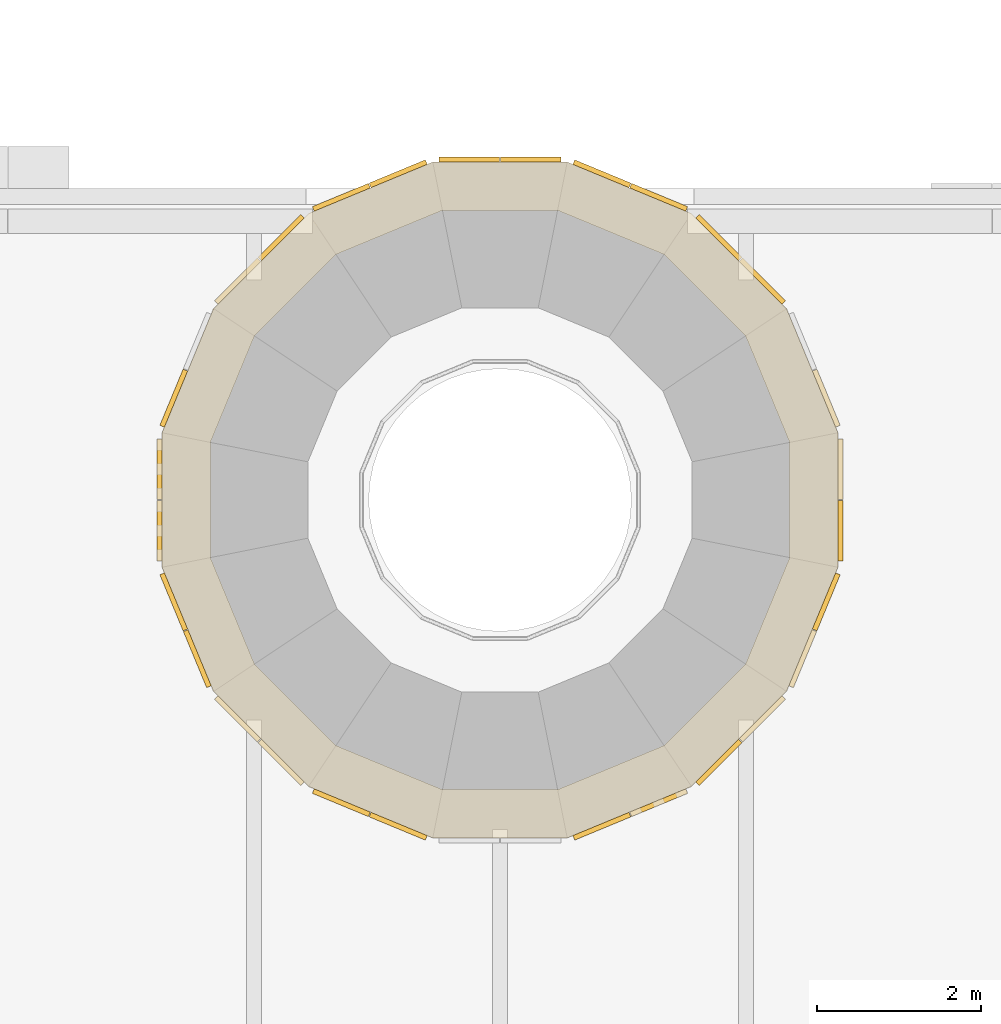
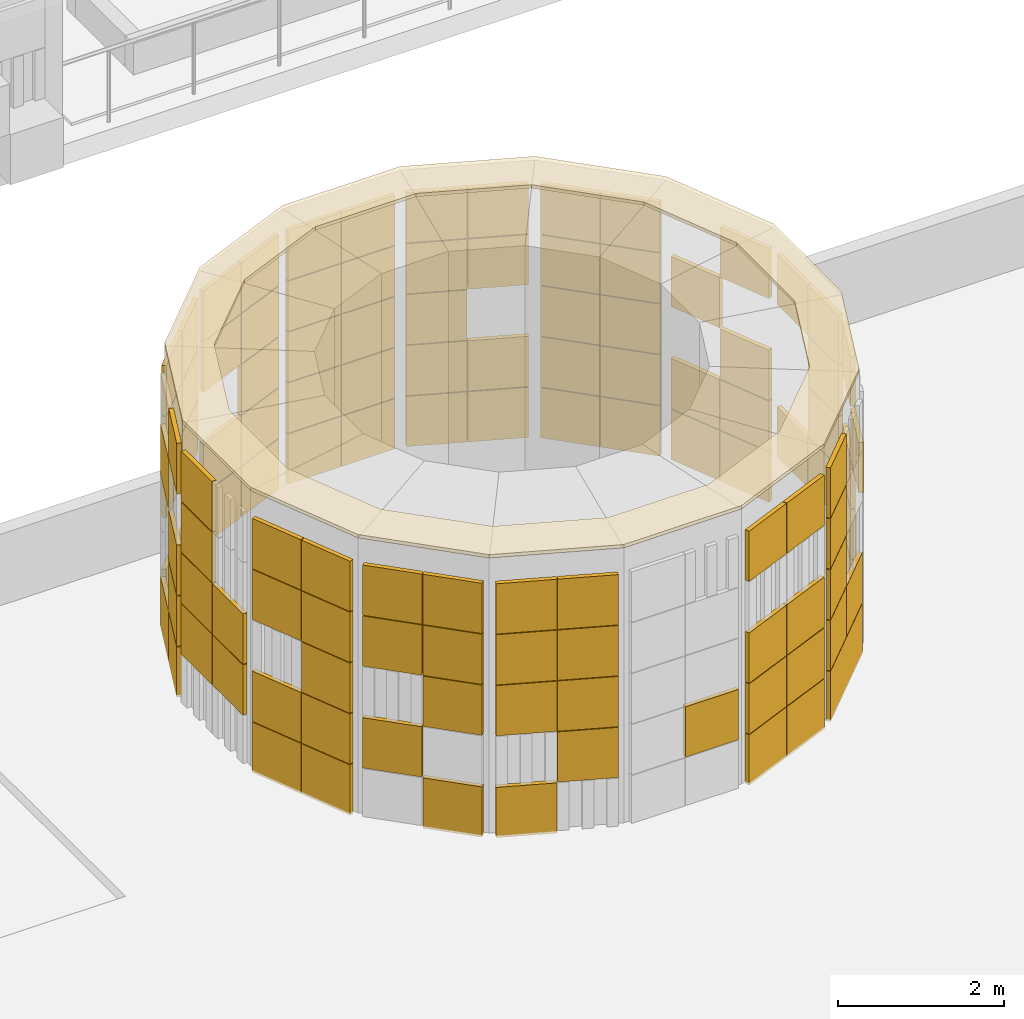
# One storey, part 78 of 98: 5 coverings.
"""IFC4 building model written with IfcOpenShell, lengths in metres."""

from ifc_helpers import new_model, si_unit, direction, frame, origin, origin_2d, place, context, subcontext, project, spatial, polyline, rectangle, outline, extrude, material, layer, layer_set, type_object, element, save


model = new_model("IFC4")

# Units and contexts
model_context = context("Model", 3, precision=1e-05, world=origin(), true_north=direction((0.0, 1.0)))
body_context = subcontext(model_context, "Body", "Model", "MODEL_VIEW")
ifc_project = project(units=[si_unit("LENGTHUNIT", "METRE"), si_unit("AREAUNIT", "SQUARE_METRE"), si_unit("VOLUMEUNIT", "CUBIC_METRE"), si_unit("PLANEANGLEUNIT", "RADIAN"), si_unit("MASSUNIT", "GRAM", prefix="KILO")], contexts=[model_context])

# Site, building, storey
site_placement = place(None, origin())
site = spatial("IfcSite", under=ifc_project, at=site_placement, CompositionType="ELEMENT")
building_placement = place(site_placement, origin())
building = spatial("IfcBuilding", under=site, at=building_placement, Name="Sun Court Science Centre", CompositionType="ELEMENT")
storey_placement = place(building_placement, frame((0.0, 0.0, 15.75)))
storey = spatial("IfcBuildingStorey", under=building, at=storey_placement, Name="L03", CompositionType="ELEMENT", Elevation=15.75)

# Coverings
ifc_material_1 = material(Name="Red sandstone", Category="masonry")
ifc_layer_1 = layer(ifc_material_1, 0.050048828125)
ifc_layer_set_1 = layer_set([ifc_layer_1], Name="Red sandstone")
covering_type_1 = type_object("IfcCoveringType", Name="Red sandstone coping 50", PredefinedType="CLADDING", material=ifc_layer_set_1)
covering_1_placement = place(storey_placement, frame((0.0, 0.0, 4.199951171875)))
element("IfcCovering", 1, at=covering_1_placement, inside=storey, type_object=covering_type_1, Name="Sandstone coping of drum ledge cone 4 4", PredefinedType="CLADDING", context=body_context, shape_type="SweptSolid", body=[
    extrude(outline(polyline([(46.119384765625, 25.019287109375), (45.4921875, 26.533447265625), (44.33349609375, 27.692138671875), (42.8193359375, 28.3193359375), (41.1806640625, 28.3193359375), (39.66650390625, 27.692138671875), (38.5078125, 26.533447265625), (37.880615234375, 25.019287109375), (37.880615234375, 23.380615234375), (38.5078125, 21.86669921875), (39.66650390625, 20.707763671875), (41.1806640625, 20.080810546875), (42.8193359375, 20.080810546875), (44.33349609375, 20.707763671875), (45.4921875, 21.86669921875), (46.119384765625, 23.380615234375), (46.119384765625, 25.019287109375)]), holes=[polyline([(45.53076171875, 24.90234375), (44.993408203125, 26.199951171875), (44.0, 27.193359375), (42.702392578125, 27.730712890625), (41.297607421875, 27.730712890625), (40.0, 27.193359375), (39.006591796875, 26.199951171875), (38.46923828125, 24.90234375), (38.46923828125, 23.49755859375), (39.006591796875, 22.199951171875), (40.0, 21.206787109375), (41.297607421875, 20.669189453125), (42.702392578125, 20.669189453125), (44.0, 21.206787109375), (44.993408203125, 22.199951171875), (45.53076171875, 23.49755859375), (45.53076171875, 24.90234375)])]), origin(), (0.0, 0.0, 1.0), 0.050048828125),
])
ifc_material_2 = material(Name="Terracotta shade 1", Category="masonry")
ifc_layer_2 = layer(ifc_material_2, 0.06005859375)
ifc_layer_set_2 = layer_set([ifc_layer_2], Name="Terracotta shade 1")
covering_type_2 = type_object("IfcCoveringType", Name="Terracotta pixel panel shade 1", PredefinedType="CLADDING", material=ifc_layer_set_2)
covering_2_placement = place(storey_placement, frame((0.0, 0.0, -15.75)))
element("IfcCovering", 2, at=covering_2_placement, inside=storey, type_object=covering_type_2, Name="Terracotta pixel cladding shade 1 cone 4 L03", PredefinedType="CLADDING", context=body_context, shape_type="SweptSolid", body=[
    extrude(rectangle(XDim=0.739990234375, YDim=0.06005859375, at=origin_2d()), frame((45.97705078125, 25.44140625, 15.865234375), z_axis=(0.0, 0.0, 1.0), x_axis=(0.382683432365, -0.923879532511, 0.0)), (0.0, 0.0, 1.0), 0.739990234375),
    extrude(rectangle(XDim=0.739990234375, YDim=0.06005859375, at=origin_2d()), frame((45.97705078125, 25.44140625, 17.365234375), z_axis=(0.0, 0.0, 1.0), x_axis=(0.382683432365, -0.923879532511, 0.0)), (0.0, 0.0, 1.0), 0.739990234375),
    extrude(rectangle(XDim=0.739990234375, YDim=0.06005859375, at=origin_2d()), frame((44.6689453125, 27.399169921875, 18.115234375), z_axis=(0.0, 0.0, 1.0), x_axis=(0.707106781187, -0.707106781187, 0.0)), (0.0, 0.0, 1.0), 0.739990234375),
    extrude(rectangle(XDim=0.739990234375, YDim=0.06005859375, at=origin_2d()), frame((44.6689453125, 27.399169921875, 18.865234375), z_axis=(0.0, 0.0, 1.0), x_axis=(0.707106781187, -0.707106781187, 0.0)), (0.0, 0.0, 1.0), 0.739990234375),
    extrude(rectangle(XDim=0.739990234375, YDim=0.06005859375, at=origin_2d()), frame((45.19921875, 26.868896484375, 18.865234375), z_axis=(0.0, 0.0, 1.0), x_axis=(0.707106781187, -0.707106781187, 0.0)), (0.0, 0.0, 1.0), 0.739990234375),
    extrude(rectangle(XDim=0.739990234375, YDim=0.06005859375, at=origin_2d()), frame((43.934326171875, 27.889892578125, 15.865234375), z_axis=(0.0, 0.0, 1.0), x_axis=(0.923879532511, -0.382683432365, 0.0)), (0.0, 0.0, 1.0), 0.739990234375),
    extrude(rectangle(XDim=0.739990234375, YDim=0.06005859375, at=origin_2d()), frame((43.934326171875, 27.889892578125, 16.615234375), z_axis=(0.0, 0.0, 1.0), x_axis=(0.923879532511, -0.382683432365, 0.0)), (0.0, 0.0, 1.0), 0.739990234375),
    extrude(rectangle(XDim=0.739990234375, YDim=0.06005859375, at=origin_2d()), frame((43.241455078125, 28.177001953125, 17.365234375), z_axis=(0.0, 0.0, 1.0), x_axis=(0.923879532511, -0.382683432365, 0.0)), (0.0, 0.0, 1.0), 0.739990234375),
    extrude(rectangle(XDim=0.739990234375, YDim=0.06005859375, at=origin_2d()), frame((43.241455078125, 28.177001953125, 18.865234375), z_axis=(0.0, 0.0, 1.0), x_axis=(0.923879532511, -0.382683432365, 0.0)), (0.0, 0.0, 1.0), 0.739990234375),
    extrude(rectangle(XDim=0.739990234375, YDim=0.06005859375, at=origin_2d()), frame((42.375, 28.349365234375, 18.865234375), z_axis=(0.0, 0.0, 1.0), x_axis=(1.0, 0.0, 0.0)), (0.0, 0.0, 1.0), 0.739990234375),
    extrude(rectangle(XDim=0.739990234375, YDim=0.06005859375, at=origin_2d()), frame((40.758544921875, 28.177001953125, 17.365234375), z_axis=(0.0, 0.0, 1.0), x_axis=(0.923879532511, 0.382683432365, 0.0)), (0.0, 0.0, 1.0), 0.739990234375),
    extrude(rectangle(XDim=0.739990234375, YDim=0.06005859375, at=origin_2d()), frame((40.065673828125, 27.889892578125, 18.115234375), z_axis=(0.0, 0.0, 1.0), x_axis=(0.923879532511, 0.382683432365, 0.0)), (0.0, 0.0, 1.0), 0.739990234375),
    extrude(rectangle(XDim=0.739990234375, YDim=0.06005859375, at=origin_2d()), frame((40.758544921875, 28.177001953125, 18.865234375), z_axis=(0.0, 0.0, 1.0), x_axis=(0.923879532511, 0.382683432365, 0.0)), (0.0, 0.0, 1.0), 0.739990234375),
    extrude(rectangle(XDim=0.739990234375, YDim=0.06005859375, at=origin_2d()), frame((38.80078125, 26.868896484375, 17.365234375), z_axis=(0.0, 0.0, 1.0), x_axis=(0.707106781187, 0.707106781187, 0.0)), (0.0, 0.0, 1.0), 0.739990234375),
    extrude(rectangle(XDim=0.739990234375, YDim=0.06005859375, at=origin_2d()), frame((39.3310546875, 27.399169921875, 18.115234375), z_axis=(0.0, 0.0, 1.0), x_axis=(0.707106781187, 0.707106781187, 0.0)), (0.0, 0.0, 1.0), 0.739990234375),
    extrude(rectangle(XDim=0.739990234375, YDim=0.06005859375, at=origin_2d()), frame((38.02294921875, 25.44140625, 17.365234375), z_axis=(0.0, 0.0, 1.0), x_axis=(0.382683432365, 0.923879532511, 0.0)), (0.0, 0.0, 1.0), 0.739990234375),
    extrude(rectangle(XDim=0.739990234375, YDim=0.06005859375, at=origin_2d()), frame((38.02294921875, 25.44140625, 18.865234375), z_axis=(0.0, 0.0, 1.0), x_axis=(0.382683432365, 0.923879532511, 0.0)), (0.0, 0.0, 1.0), 0.739990234375),
    extrude(rectangle(XDim=0.739990234375, YDim=0.06005859375, at=origin_2d()), frame((37.8505859375, 23.824951171875, 17.365234375), z_axis=(0.0, 0.0, 1.0), x_axis=(0.0, 1.0, 0.0)), (0.0, 0.0, 1.0), 0.739990234375),
    extrude(rectangle(XDim=0.739990234375, YDim=0.06005859375, at=origin_2d()), frame((37.8505859375, 24.574951171875, 17.365234375), z_axis=(0.0, 0.0, 1.0), x_axis=(0.0, 1.0, 0.0)), (0.0, 0.0, 1.0), 0.739990234375),
    extrude(rectangle(XDim=0.739990234375, YDim=0.06005859375, at=origin_2d()), frame((37.8505859375, 24.574951171875, 18.115234375), z_axis=(0.0, 0.0, 1.0), x_axis=(0.0, 1.0, 0.0)), (0.0, 0.0, 1.0), 0.739990234375),
    extrude(rectangle(XDim=0.739990234375, YDim=0.06005859375, at=origin_2d()), frame((38.31005859375, 22.265625, 15.865234375), z_axis=(0.0, 0.0, 1.0), x_axis=(-0.382683432365, 0.923879532511, 0.0)), (0.0, 0.0, 1.0), 0.739990234375),
    extrude(rectangle(XDim=0.739990234375, YDim=0.06005859375, at=origin_2d()), frame((38.31005859375, 22.265625, 17.365234375), z_axis=(0.0, 0.0, 1.0), x_axis=(-0.382683432365, 0.923879532511, 0.0)), (0.0, 0.0, 1.0), 0.739990234375),
    extrude(rectangle(XDim=0.739990234375, YDim=0.06005859375, at=origin_2d()), frame((39.3310546875, 21.000732421875, 18.115234375), z_axis=(0.0, 0.0, 1.0), x_axis=(-0.707106781187, 0.707106781187, 0.0)), (0.0, 0.0, 1.0), 0.739990234375),
    extrude(rectangle(XDim=0.739990234375, YDim=0.06005859375, at=origin_2d()), frame((38.80078125, 21.53125, 18.115234375), z_axis=(0.0, 0.0, 1.0), x_axis=(-0.707106781187, 0.707106781187, 0.0)), (0.0, 0.0, 1.0), 0.739990234375),
    extrude(rectangle(XDim=0.739990234375, YDim=0.06005859375, at=origin_2d()), frame((40.065673828125, 20.510009765625, 18.865234375), z_axis=(0.0, 0.0, 1.0), x_axis=(-0.923879532511, 0.382683432365, 0.0)), (0.0, 0.0, 1.0), 0.739990234375),
    extrude(rectangle(XDim=0.739990234375, YDim=0.06005859375, at=origin_2d()), frame((43.934326171875, 20.510009765625, 16.615234375), z_axis=(0.0, 0.0, 1.0), x_axis=(-0.923879532511, -0.382683432365, 0.0)), (0.0, 0.0, 1.0), 0.739990234375),
    extrude(rectangle(XDim=0.739990234375, YDim=0.06005859375, at=origin_2d()), frame((43.241455078125, 20.22314453125, 16.615234375), z_axis=(0.0, 0.0, 1.0), x_axis=(-0.923879532511, -0.382683432365, 0.0)), (0.0, 0.0, 1.0), 0.739990234375),
    extrude(rectangle(XDim=0.739990234375, YDim=0.06005859375, at=origin_2d()), frame((43.934326171875, 20.510009765625, 17.365234375), z_axis=(0.0, 0.0, 1.0), x_axis=(-0.923879532511, -0.382683432365, 0.0)), (0.0, 0.0, 1.0), 0.739990234375),
    extrude(rectangle(XDim=0.739990234375, YDim=0.06005859375, at=origin_2d()), frame((43.241455078125, 20.22314453125, 17.365234375), z_axis=(0.0, 0.0, 1.0), x_axis=(-0.923879532511, -0.382683432365, 0.0)), (0.0, 0.0, 1.0), 0.739990234375),
    extrude(rectangle(XDim=0.739990234375, YDim=0.06005859375, at=origin_2d()), frame((43.934326171875, 20.510009765625, 18.865234375), z_axis=(0.0, 0.0, 1.0), x_axis=(-0.923879532511, -0.382683432365, 0.0)), (0.0, 0.0, 1.0), 0.739990234375),
    extrude(rectangle(XDim=0.739990234375, YDim=0.06005859375, at=origin_2d()), frame((45.19921875, 21.53125, 15.865234375), z_axis=(0.0, 0.0, 1.0), x_axis=(-0.707106781187, -0.707106781187, 0.0)), (0.0, 0.0, 1.0), 0.739990234375),
    extrude(rectangle(XDim=0.739990234375, YDim=0.06005859375, at=origin_2d()), frame((44.6689453125, 21.000732421875, 15.865234375), z_axis=(0.0, 0.0, 1.0), x_axis=(-0.707106781187, -0.707106781187, 0.0)), (0.0, 0.0, 1.0), 0.739990234375),
    extrude(rectangle(XDim=0.739990234375, YDim=0.06005859375, at=origin_2d()), frame((45.97705078125, 22.95849609375, 17.365234375), z_axis=(0.0, 0.0, 1.0), x_axis=(-0.382683432365, -0.923879532511, 0.0)), (0.0, 0.0, 1.0), 0.739990234375),
    extrude(rectangle(XDim=0.739990234375, YDim=0.06005859375, at=origin_2d()), frame((45.68994140625, 22.265625, 18.115234375), z_axis=(0.0, 0.0, 1.0), x_axis=(-0.382683432365, -0.923879532511, 0.0)), (0.0, 0.0, 1.0), 0.739990234375),
    extrude(rectangle(XDim=0.739990234375, YDim=0.06005859375, at=origin_2d()), frame((46.1494140625, 24.574951171875, 16.615234375), z_axis=(0.0, 0.0, 1.0), x_axis=(0.0, -1.0, 0.0)), (0.0, 0.0, 1.0), 0.739990234375),
    extrude(rectangle(XDim=0.739990234375, YDim=0.06005859375, at=origin_2d()), frame((46.1494140625, 23.824951171875, 18.115234375), z_axis=(0.0, 0.0, 1.0), x_axis=(0.0, -1.0, 0.0)), (0.0, 0.0, 1.0), 0.739990234375),
    extrude(rectangle(XDim=0.739990234375, YDim=0.06005859375, at=origin_2d()), frame((46.1494140625, 23.824951171875, 16.615234375), z_axis=(0.0, 0.0, 1.0), x_axis=(0.0, -1.0, 0.0)), (0.0, 0.0, 1.0), 0.739990234375),
    extrude(rectangle(XDim=0.739990234375, YDim=0.06005859375, at=origin_2d()), frame((46.1494140625, 23.824951171875, 18.865234375), z_axis=(0.0, 0.0, 1.0), x_axis=(0.0, -1.0, 0.0)), (0.0, 0.0, 1.0), 0.739990234375),
    extrude(rectangle(XDim=0.739990234375, YDim=0.06005859375, at=origin_2d()), frame((42.375, 28.349365234375, 16.615234375), z_axis=(0.0, 0.0, 1.0), x_axis=(1.0, 0.0, 0.0)), (0.0, 0.0, 1.0), 0.739990234375),
    extrude(rectangle(XDim=0.739990234375, YDim=0.06005859375, at=origin_2d()), frame((41.625, 28.349365234375, 17.365234375), z_axis=(0.0, 0.0, 1.0), x_axis=(1.0, 0.0, 0.0)), (0.0, 0.0, 1.0), 0.739990234375),
    extrude(rectangle(XDim=0.739990234375, YDim=0.06005859375, at=origin_2d()), frame((41.625, 28.349365234375, 18.115234375), z_axis=(0.0, 0.0, 1.0), x_axis=(1.0, 0.0, 0.0)), (0.0, 0.0, 1.0), 0.739990234375),
    extrude(rectangle(XDim=0.739990234375, YDim=0.06005859375, at=origin_2d()), frame((41.625, 28.349365234375, 18.865234375), z_axis=(0.0, 0.0, 1.0), x_axis=(1.0, 0.0, 0.0)), (0.0, 0.0, 1.0), 0.739990234375),
    extrude(rectangle(XDim=0.739990234375, YDim=0.06005859375, at=origin_2d()), frame((42.375, 28.349365234375, 15.865234375), z_axis=(0.0, 0.0, 1.0), x_axis=(1.0, 0.0, 0.0)), (0.0, 0.0, 1.0), 0.739990234375),
    extrude(rectangle(XDim=0.739990234375, YDim=0.06005859375, at=origin_2d()), frame((41.625, 28.349365234375, 16.615234375), z_axis=(0.0, 0.0, 1.0), x_axis=(1.0, 0.0, 0.0)), (0.0, 0.0, 1.0), 0.739990234375),
    extrude(rectangle(XDim=0.739990234375, YDim=0.06005859375, at=origin_2d()), frame((42.375, 28.349365234375, 17.365234375), z_axis=(0.0, 0.0, 1.0), x_axis=(1.0, 0.0, 0.0)), (0.0, 0.0, 1.0), 0.739990234375),
])
ifc_material_3 = material(Name="Terracotta shade 2", Category="masonry")
ifc_layer_3 = layer(ifc_material_3, 0.06005859375)
ifc_layer_set_3 = layer_set([ifc_layer_3], Name="Terracotta shade 2")
covering_type_3 = type_object("IfcCoveringType", Name="Terracotta pixel panel shade 2", PredefinedType="CLADDING", material=ifc_layer_set_3)
covering_3_placement = place(storey_placement, frame((0.0, 0.0, -15.75)))
element("IfcCovering", 3, at=covering_3_placement, inside=storey, type_object=covering_type_3, Name="Terracotta pixel cladding shade 2 cone 4 L03", PredefinedType="CLADDING", context=body_context, shape_type="SweptSolid", body=[
    extrude(rectangle(XDim=0.739990234375, YDim=0.06005859375, at=origin_2d()), frame((45.68994140625, 26.13427734375, 15.865234375), z_axis=(0.0, 0.0, 1.0), x_axis=(0.382683432365, -0.923879532511, 0.0)), (0.0, 0.0, 1.0), 0.739990234375),
    extrude(rectangle(XDim=0.739990234375, YDim=0.06005859375, at=origin_2d()), frame((45.68994140625, 26.13427734375, 16.615234375), z_axis=(0.0, 0.0, 1.0), x_axis=(0.382683432365, -0.923879532511, 0.0)), (0.0, 0.0, 1.0), 0.739990234375),
    extrude(rectangle(XDim=0.739990234375, YDim=0.06005859375, at=origin_2d()), frame((45.68994140625, 26.13427734375, 18.115234375), z_axis=(0.0, 0.0, 1.0), x_axis=(0.382683432365, -0.923879532511, 0.0)), (0.0, 0.0, 1.0), 0.739990234375),
    extrude(rectangle(XDim=0.739990234375, YDim=0.06005859375, at=origin_2d()), frame((45.19921875, 26.868896484375, 16.615234375), z_axis=(0.0, 0.0, 1.0), x_axis=(0.707106781187, -0.707106781187, 0.0)), (0.0, 0.0, 1.0), 0.739990234375),
    extrude(rectangle(XDim=0.739990234375, YDim=0.06005859375, at=origin_2d()), frame((45.19921875, 26.868896484375, 17.365234375), z_axis=(0.0, 0.0, 1.0), x_axis=(0.707106781187, -0.707106781187, 0.0)), (0.0, 0.0, 1.0), 0.739990234375),
    extrude(rectangle(XDim=0.739990234375, YDim=0.06005859375, at=origin_2d()), frame((43.241455078125, 28.177001953125, 15.865234375), z_axis=(0.0, 0.0, 1.0), x_axis=(0.923879532511, -0.382683432365, 0.0)), (0.0, 0.0, 1.0), 0.739990234375),
    extrude(rectangle(XDim=0.739990234375, YDim=0.06005859375, at=origin_2d()), frame((43.241455078125, 28.177001953125, 16.615234375), z_axis=(0.0, 0.0, 1.0), x_axis=(0.923879532511, -0.382683432365, 0.0)), (0.0, 0.0, 1.0), 0.739990234375),
    extrude(rectangle(XDim=0.739990234375, YDim=0.06005859375, at=origin_2d()), frame((41.625, 28.349365234375, 15.865234375), z_axis=(0.0, 0.0, 1.0), x_axis=(1.0, 0.0, 0.0)), (0.0, 0.0, 1.0), 0.739990234375),
    extrude(rectangle(XDim=0.739990234375, YDim=0.06005859375, at=origin_2d()), frame((42.375, 28.349365234375, 18.115234375), z_axis=(0.0, 0.0, 1.0), x_axis=(1.0, 0.0, 0.0)), (0.0, 0.0, 1.0), 0.739990234375),
    extrude(rectangle(XDim=0.739990234375, YDim=0.06005859375, at=origin_2d()), frame((40.065673828125, 27.889892578125, 15.865234375), z_axis=(0.0, 0.0, 1.0), x_axis=(0.923879532511, 0.382683432365, 0.0)), (0.0, 0.0, 1.0), 0.739990234375),
    extrude(rectangle(XDim=0.739990234375, YDim=0.06005859375, at=origin_2d()), frame((40.758544921875, 28.177001953125, 15.865234375), z_axis=(0.0, 0.0, 1.0), x_axis=(0.923879532511, 0.382683432365, 0.0)), (0.0, 0.0, 1.0), 0.739990234375),
    extrude(rectangle(XDim=0.739990234375, YDim=0.06005859375, at=origin_2d()), frame((40.065673828125, 27.889892578125, 16.615234375), z_axis=(0.0, 0.0, 1.0), x_axis=(0.923879532511, 0.382683432365, 0.0)), (0.0, 0.0, 1.0), 0.739990234375),
    extrude(rectangle(XDim=0.739990234375, YDim=0.06005859375, at=origin_2d()), frame((40.758544921875, 28.177001953125, 16.615234375), z_axis=(0.0, 0.0, 1.0), x_axis=(0.923879532511, 0.382683432365, 0.0)), (0.0, 0.0, 1.0), 0.739990234375),
    extrude(rectangle(XDim=0.739990234375, YDim=0.06005859375, at=origin_2d()), frame((40.758544921875, 28.177001953125, 18.115234375), z_axis=(0.0, 0.0, 1.0), x_axis=(0.923879532511, 0.382683432365, 0.0)), (0.0, 0.0, 1.0), 0.739990234375),
    extrude(rectangle(XDim=0.739990234375, YDim=0.06005859375, at=origin_2d()), frame((39.3310546875, 27.399169921875, 15.865234375), z_axis=(0.0, 0.0, 1.0), x_axis=(0.707106781187, 0.707106781187, 0.0)), (0.0, 0.0, 1.0), 0.739990234375),
    extrude(rectangle(XDim=0.739990234375, YDim=0.06005859375, at=origin_2d()), frame((38.80078125, 26.868896484375, 18.115234375), z_axis=(0.0, 0.0, 1.0), x_axis=(0.707106781187, 0.707106781187, 0.0)), (0.0, 0.0, 1.0), 0.739990234375),
    extrude(rectangle(XDim=0.739990234375, YDim=0.06005859375, at=origin_2d()), frame((38.80078125, 26.868896484375, 18.865234375), z_axis=(0.0, 0.0, 1.0), x_axis=(0.707106781187, 0.707106781187, 0.0)), (0.0, 0.0, 1.0), 0.739990234375),
    extrude(rectangle(XDim=0.739990234375, YDim=0.06005859375, at=origin_2d()), frame((39.3310546875, 27.399169921875, 18.865234375), z_axis=(0.0, 0.0, 1.0), x_axis=(0.707106781187, 0.707106781187, 0.0)), (0.0, 0.0, 1.0), 0.739990234375),
    extrude(rectangle(XDim=0.739990234375, YDim=0.06005859375, at=origin_2d()), frame((38.31005859375, 26.13427734375, 18.115234375), z_axis=(0.0, 0.0, 1.0), x_axis=(0.382683432365, 0.923879532511, 0.0)), (0.0, 0.0, 1.0), 0.739990234375),
    extrude(rectangle(XDim=0.739990234375, YDim=0.06005859375, at=origin_2d()), frame((37.8505859375, 23.824951171875, 16.615234375), z_axis=(0.0, 0.0, 1.0), x_axis=(0.0, 1.0, 0.0)), (0.0, 0.0, 1.0), 0.739990234375),
    extrude(rectangle(XDim=0.739990234375, YDim=0.06005859375, at=origin_2d()), frame((37.8505859375, 24.574951171875, 16.615234375), z_axis=(0.0, 0.0, 1.0), x_axis=(0.0, 1.0, 0.0)), (0.0, 0.0, 1.0), 0.739990234375),
    extrude(rectangle(XDim=0.739990234375, YDim=0.06005859375, at=origin_2d()), frame((37.8505859375, 24.574951171875, 18.865234375), z_axis=(0.0, 0.0, 1.0), x_axis=(0.0, 1.0, 0.0)), (0.0, 0.0, 1.0), 0.739990234375),
    extrude(rectangle(XDim=0.739990234375, YDim=0.06005859375, at=origin_2d()), frame((38.31005859375, 22.265625, 18.115234375), z_axis=(0.0, 0.0, 1.0), x_axis=(-0.382683432365, 0.923879532511, 0.0)), (0.0, 0.0, 1.0), 0.739990234375),
    extrude(rectangle(XDim=0.739990234375, YDim=0.06005859375, at=origin_2d()), frame((38.31005859375, 22.265625, 18.865234375), z_axis=(0.0, 0.0, 1.0), x_axis=(-0.382683432365, 0.923879532511, 0.0)), (0.0, 0.0, 1.0), 0.739990234375),
    extrude(rectangle(XDim=0.739990234375, YDim=0.06005859375, at=origin_2d()), frame((40.065673828125, 20.510009765625, 17.365234375), z_axis=(0.0, 0.0, 1.0), x_axis=(-0.923879532511, 0.382683432365, 0.0)), (0.0, 0.0, 1.0), 0.739990234375),
    extrude(rectangle(XDim=0.739990234375, YDim=0.06005859375, at=origin_2d()), frame((43.934326171875, 20.510009765625, 15.865234375), z_axis=(0.0, 0.0, 1.0), x_axis=(-0.923879532511, -0.382683432365, 0.0)), (0.0, 0.0, 1.0), 0.739990234375),
    extrude(rectangle(XDim=0.739990234375, YDim=0.06005859375, at=origin_2d()), frame((45.19921875, 21.53125, 16.615234375), z_axis=(0.0, 0.0, 1.0), x_axis=(-0.707106781187, -0.707106781187, 0.0)), (0.0, 0.0, 1.0), 0.739990234375),
    extrude(rectangle(XDim=0.739990234375, YDim=0.06005859375, at=origin_2d()), frame((44.6689453125, 21.000732421875, 17.365234375), z_axis=(0.0, 0.0, 1.0), x_axis=(-0.707106781187, -0.707106781187, 0.0)), (0.0, 0.0, 1.0), 0.739990234375),
    extrude(rectangle(XDim=0.739990234375, YDim=0.06005859375, at=origin_2d()), frame((44.6689453125, 21.000732421875, 18.115234375), z_axis=(0.0, 0.0, 1.0), x_axis=(-0.707106781187, -0.707106781187, 0.0)), (0.0, 0.0, 1.0), 0.739990234375),
    extrude(rectangle(XDim=0.739990234375, YDim=0.06005859375, at=origin_2d()), frame((45.97705078125, 22.95849609375, 15.865234375), z_axis=(0.0, 0.0, 1.0), x_axis=(-0.382683432365, -0.923879532511, 0.0)), (0.0, 0.0, 1.0), 0.739990234375),
])
ifc_material_4 = material(Name="Terracotta shade 3", Category="masonry")
ifc_layer_4 = layer(ifc_material_4, 0.06005859375)
ifc_layer_set_4 = layer_set([ifc_layer_4], Name="Terracotta shade 3")
covering_type_4 = type_object("IfcCoveringType", Name="Terracotta pixel panel shade 3", PredefinedType="CLADDING", material=ifc_layer_set_4)
covering_4_placement = place(storey_placement, frame((0.0, 0.0, -15.75)))
element("IfcCovering", 4, at=covering_4_placement, inside=storey, type_object=covering_type_4, Name="Terracotta pixel cladding shade 3 cone 4 L03", PredefinedType="CLADDING", context=body_context, shape_type="SweptSolid", body=[
    extrude(rectangle(XDim=0.739990234375, YDim=0.06005859375, at=origin_2d()), frame((45.97705078125, 25.44140625, 18.865234375), z_axis=(0.0, 0.0, 1.0), x_axis=(0.382683432365, -0.923879532511, 0.0)), (0.0, 0.0, 1.0), 0.739990234375),
    extrude(rectangle(XDim=0.739990234375, YDim=0.06005859375, at=origin_2d()), frame((44.6689453125, 27.399169921875, 15.865234375), z_axis=(0.0, 0.0, 1.0), x_axis=(0.707106781187, -0.707106781187, 0.0)), (0.0, 0.0, 1.0), 0.739990234375),
    extrude(rectangle(XDim=0.739990234375, YDim=0.06005859375, at=origin_2d()), frame((45.19921875, 26.868896484375, 15.865234375), z_axis=(0.0, 0.0, 1.0), x_axis=(0.707106781187, -0.707106781187, 0.0)), (0.0, 0.0, 1.0), 0.739990234375),
    extrude(rectangle(XDim=0.739990234375, YDim=0.06005859375, at=origin_2d()), frame((44.6689453125, 27.399169921875, 16.615234375), z_axis=(0.0, 0.0, 1.0), x_axis=(0.707106781187, -0.707106781187, 0.0)), (0.0, 0.0, 1.0), 0.739990234375),
    extrude(rectangle(XDim=0.739990234375, YDim=0.06005859375, at=origin_2d()), frame((43.934326171875, 27.889892578125, 18.865234375), z_axis=(0.0, 0.0, 1.0), x_axis=(0.923879532511, -0.382683432365, 0.0)), (0.0, 0.0, 1.0), 0.739990234375),
    extrude(rectangle(XDim=0.739990234375, YDim=0.06005859375, at=origin_2d()), frame((40.065673828125, 27.889892578125, 18.865234375), z_axis=(0.0, 0.0, 1.0), x_axis=(0.923879532511, 0.382683432365, 0.0)), (0.0, 0.0, 1.0), 0.739990234375),
    extrude(rectangle(XDim=0.739990234375, YDim=0.06005859375, at=origin_2d()), frame((39.3310546875, 27.399169921875, 17.365234375), z_axis=(0.0, 0.0, 1.0), x_axis=(0.707106781187, 0.707106781187, 0.0)), (0.0, 0.0, 1.0), 0.739990234375),
    extrude(rectangle(XDim=0.739990234375, YDim=0.06005859375, at=origin_2d()), frame((38.02294921875, 25.44140625, 15.865234375), z_axis=(0.0, 0.0, 1.0), x_axis=(0.382683432365, 0.923879532511, 0.0)), (0.0, 0.0, 1.0), 0.739990234375),
    extrude(rectangle(XDim=0.739990234375, YDim=0.06005859375, at=origin_2d()), frame((38.02294921875, 22.95849609375, 15.865234375), z_axis=(0.0, 0.0, 1.0), x_axis=(-0.382683432365, 0.923879532511, 0.0)), (0.0, 0.0, 1.0), 0.739990234375),
    extrude(rectangle(XDim=0.739990234375, YDim=0.06005859375, at=origin_2d()), frame((38.31005859375, 22.265625, 16.615234375), z_axis=(0.0, 0.0, 1.0), x_axis=(-0.382683432365, 0.923879532511, 0.0)), (0.0, 0.0, 1.0), 0.739990234375),
    extrude(rectangle(XDim=0.739990234375, YDim=0.06005859375, at=origin_2d()), frame((38.02294921875, 22.95849609375, 18.115234375), z_axis=(0.0, 0.0, 1.0), x_axis=(-0.382683432365, 0.923879532511, 0.0)), (0.0, 0.0, 1.0), 0.739990234375),
    extrude(rectangle(XDim=0.739990234375, YDim=0.06005859375, at=origin_2d()), frame((39.3310546875, 21.000732421875, 15.865234375), z_axis=(0.0, 0.0, 1.0), x_axis=(-0.707106781187, 0.707106781187, 0.0)), (0.0, 0.0, 1.0), 0.739990234375),
    extrude(rectangle(XDim=0.739990234375, YDim=0.06005859375, at=origin_2d()), frame((39.3310546875, 21.000732421875, 17.365234375), z_axis=(0.0, 0.0, 1.0), x_axis=(-0.707106781187, 0.707106781187, 0.0)), (0.0, 0.0, 1.0), 0.739990234375),
    extrude(rectangle(XDim=0.739990234375, YDim=0.06005859375, at=origin_2d()), frame((39.3310546875, 21.000732421875, 18.865234375), z_axis=(0.0, 0.0, 1.0), x_axis=(-0.707106781187, 0.707106781187, 0.0)), (0.0, 0.0, 1.0), 0.739990234375),
    extrude(rectangle(XDim=0.739990234375, YDim=0.06005859375, at=origin_2d()), frame((38.80078125, 21.53125, 18.865234375), z_axis=(0.0, 0.0, 1.0), x_axis=(-0.707106781187, 0.707106781187, 0.0)), (0.0, 0.0, 1.0), 0.739990234375),
    extrude(rectangle(XDim=0.739990234375, YDim=0.06005859375, at=origin_2d()), frame((40.065673828125, 20.510009765625, 15.865234375), z_axis=(0.0, 0.0, 1.0), x_axis=(-0.923879532511, 0.382683432365, 0.0)), (0.0, 0.0, 1.0), 0.739990234375),
    extrude(rectangle(XDim=0.739990234375, YDim=0.06005859375, at=origin_2d()), frame((40.758544921875, 20.22314453125, 17.365234375), z_axis=(0.0, 0.0, 1.0), x_axis=(-0.923879532511, 0.382683432365, 0.0)), (0.0, 0.0, 1.0), 0.739990234375),
    extrude(rectangle(XDim=0.739990234375, YDim=0.06005859375, at=origin_2d()), frame((40.758544921875, 20.22314453125, 18.115234375), z_axis=(0.0, 0.0, 1.0), x_axis=(-0.923879532511, 0.382683432365, 0.0)), (0.0, 0.0, 1.0), 0.739990234375),
    extrude(rectangle(XDim=0.739990234375, YDim=0.06005859375, at=origin_2d()), frame((40.758544921875, 20.22314453125, 18.865234375), z_axis=(0.0, 0.0, 1.0), x_axis=(-0.923879532511, 0.382683432365, 0.0)), (0.0, 0.0, 1.0), 0.739990234375),
    extrude(rectangle(XDim=0.739990234375, YDim=0.06005859375, at=origin_2d()), frame((43.241455078125, 20.22314453125, 15.865234375), z_axis=(0.0, 0.0, 1.0), x_axis=(-0.923879532511, -0.382683432365, 0.0)), (0.0, 0.0, 1.0), 0.739990234375),
    extrude(rectangle(XDim=0.739990234375, YDim=0.06005859375, at=origin_2d()), frame((43.241455078125, 20.22314453125, 18.865234375), z_axis=(0.0, 0.0, 1.0), x_axis=(-0.923879532511, -0.382683432365, 0.0)), (0.0, 0.0, 1.0), 0.739990234375),
    extrude(rectangle(XDim=0.739990234375, YDim=0.06005859375, at=origin_2d()), frame((45.97705078125, 22.95849609375, 16.615234375), z_axis=(0.0, 0.0, 1.0), x_axis=(-0.382683432365, -0.923879532511, 0.0)), (0.0, 0.0, 1.0), 0.739990234375),
])
ifc_material_5 = material(Name="Terracotta shade 4", Category="masonry")
ifc_layer_5 = layer(ifc_material_5, 0.06005859375)
ifc_layer_set_5 = layer_set([ifc_layer_5], Name="Terracotta shade 4")
covering_type_5 = type_object("IfcCoveringType", Name="Terracotta pixel panel shade 4", PredefinedType="CLADDING", material=ifc_layer_set_5)
covering_5_placement = place(storey_placement, frame((0.0, 0.0, -15.75)))
element("IfcCovering", 5, at=covering_5_placement, inside=storey, type_object=covering_type_5, Name="Terracotta pixel cladding shade 4 cone 4 L03", PredefinedType="CLADDING", context=body_context, shape_type="SweptSolid", body=[
    extrude(rectangle(XDim=0.739990234375, YDim=0.06005859375, at=origin_2d()), frame((45.97705078125, 25.44140625, 16.615234375), z_axis=(0.0, 0.0, 1.0), x_axis=(0.382683432365, -0.923879532511, 0.0)), (0.0, 0.0, 1.0), 0.739990234375),
    extrude(rectangle(XDim=0.739990234375, YDim=0.06005859375, at=origin_2d()), frame((44.6689453125, 27.399169921875, 17.365234375), z_axis=(0.0, 0.0, 1.0), x_axis=(0.707106781187, -0.707106781187, 0.0)), (0.0, 0.0, 1.0), 0.739990234375),
    extrude(rectangle(XDim=0.739990234375, YDim=0.06005859375, at=origin_2d()), frame((45.19921875, 26.868896484375, 18.115234375), z_axis=(0.0, 0.0, 1.0), x_axis=(0.707106781187, -0.707106781187, 0.0)), (0.0, 0.0, 1.0), 0.739990234375),
    extrude(rectangle(XDim=0.739990234375, YDim=0.06005859375, at=origin_2d()), frame((43.241455078125, 28.177001953125, 18.115234375), z_axis=(0.0, 0.0, 1.0), x_axis=(0.923879532511, -0.382683432365, 0.0)), (0.0, 0.0, 1.0), 0.739990234375),
    extrude(rectangle(XDim=0.739990234375, YDim=0.06005859375, at=origin_2d()), frame((43.934326171875, 27.889892578125, 18.115234375), z_axis=(0.0, 0.0, 1.0), x_axis=(0.923879532511, -0.382683432365, 0.0)), (0.0, 0.0, 1.0), 0.739990234375),
    extrude(rectangle(XDim=0.739990234375, YDim=0.06005859375, at=origin_2d()), frame((38.80078125, 26.868896484375, 15.865234375), z_axis=(0.0, 0.0, 1.0), x_axis=(0.707106781187, 0.707106781187, 0.0)), (0.0, 0.0, 1.0), 0.739990234375),
    extrude(rectangle(XDim=0.739990234375, YDim=0.06005859375, at=origin_2d()), frame((38.31005859375, 26.13427734375, 15.865234375), z_axis=(0.0, 0.0, 1.0), x_axis=(0.382683432365, 0.923879532511, 0.0)), (0.0, 0.0, 1.0), 0.739990234375),
    extrude(rectangle(XDim=0.739990234375, YDim=0.06005859375, at=origin_2d()), frame((38.02294921875, 25.44140625, 16.615234375), z_axis=(0.0, 0.0, 1.0), x_axis=(0.382683432365, 0.923879532511, 0.0)), (0.0, 0.0, 1.0), 0.739990234375),
    extrude(rectangle(XDim=0.739990234375, YDim=0.06005859375, at=origin_2d()), frame((38.80078125, 21.53125, 16.615234375), z_axis=(0.0, 0.0, 1.0), x_axis=(-0.707106781187, 0.707106781187, 0.0)), (0.0, 0.0, 1.0), 0.739990234375),
    extrude(rectangle(XDim=0.739990234375, YDim=0.06005859375, at=origin_2d()), frame((40.758544921875, 20.22314453125, 16.615234375), z_axis=(0.0, 0.0, 1.0), x_axis=(-0.923879532511, 0.382683432365, 0.0)), (0.0, 0.0, 1.0), 0.739990234375),
    extrude(rectangle(XDim=0.739990234375, YDim=0.06005859375, at=origin_2d()), frame((40.065673828125, 20.510009765625, 18.115234375), z_axis=(0.0, 0.0, 1.0), x_axis=(-0.923879532511, 0.382683432365, 0.0)), (0.0, 0.0, 1.0), 0.739990234375),
    extrude(rectangle(XDim=0.739990234375, YDim=0.06005859375, at=origin_2d()), frame((42.375, 20.05078125, 16.615234375), z_axis=(0.0, 0.0, 1.0), x_axis=(-1.0, 0.0, 0.0)), (0.0, 0.0, 1.0), 0.739990234375),
    extrude(rectangle(XDim=0.739990234375, YDim=0.06005859375, at=origin_2d()), frame((44.6689453125, 21.000732421875, 16.615234375), z_axis=(0.0, 0.0, 1.0), x_axis=(-0.707106781187, -0.707106781187, 0.0)), (0.0, 0.0, 1.0), 0.739990234375),
    extrude(rectangle(XDim=0.739990234375, YDim=0.06005859375, at=origin_2d()), frame((44.6689453125, 21.000732421875, 18.865234375), z_axis=(0.0, 0.0, 1.0), x_axis=(-0.707106781187, -0.707106781187, 0.0)), (0.0, 0.0, 1.0), 0.739990234375),
    extrude(rectangle(XDim=0.739990234375, YDim=0.06005859375, at=origin_2d()), frame((45.97705078125, 22.95849609375, 18.865234375), z_axis=(0.0, 0.0, 1.0), x_axis=(-0.382683432365, -0.923879532511, 0.0)), (0.0, 0.0, 1.0), 0.739990234375),
    extrude(rectangle(XDim=0.739990234375, YDim=0.06005859375, at=origin_2d()), frame((46.1494140625, 23.824951171875, 17.365234375), z_axis=(0.0, 0.0, 1.0), x_axis=(0.0, -1.0, 0.0)), (0.0, 0.0, 1.0), 0.739990234375),
    extrude(rectangle(XDim=0.739990234375, YDim=0.06005859375, at=origin_2d()), frame((46.1494140625, 24.574951171875, 18.865234375), z_axis=(0.0, 0.0, 1.0), x_axis=(0.0, -1.0, 0.0)), (0.0, 0.0, 1.0), 0.739990234375),
    extrude(rectangle(XDim=0.739990234375, YDim=0.06005859375, at=origin_2d()), frame((38.02294921875, 22.95849609375, 16.615234375), z_axis=(0.0, 0.0, 1.0), x_axis=(-0.382683432365, 0.923879532511, 0.0)), (0.0, 0.0, 1.0), 0.739990234375),
    extrude(rectangle(XDim=0.739990234375, YDim=0.06005859375, at=origin_2d()), frame((38.02294921875, 22.95849609375, 18.865234375), z_axis=(0.0, 0.0, 1.0), x_axis=(-0.382683432365, 0.923879532511, 0.0)), (0.0, 0.0, 1.0), 0.739990234375),
])

save(model, "model.ifc")
